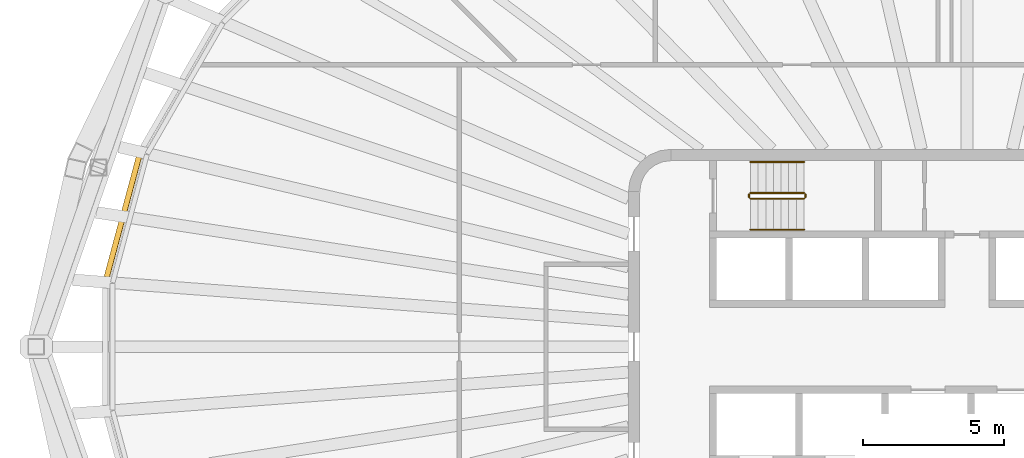
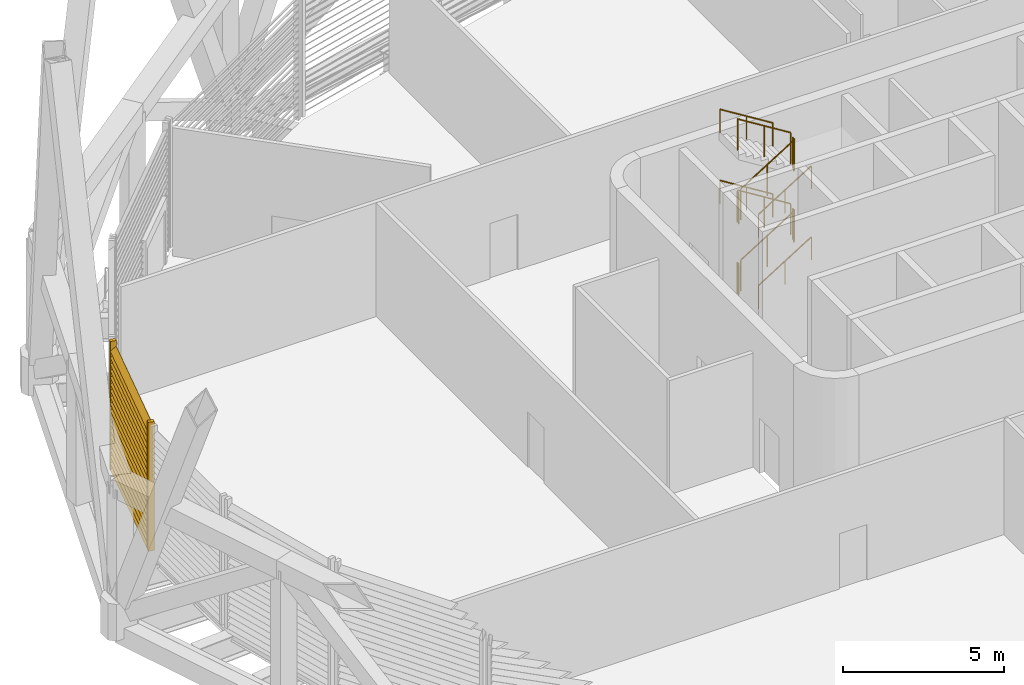
# One storey, part 12 of 17: 12 railings, 1 shading device.
"""IFC4 building model written with IfcOpenShell, lengths in metres."""

from ifc_helpers import new_model, si_unit, direction, frame, origin, origin_2d, place, context, subcontext, project, spatial, rectangle, circle, extrude, material, type_object, element, save


model = new_model("IFC4")

# Units and contexts
model_context = context("Model", 3, precision=1e-05, world=origin(), true_north=direction((0.0, 1.0)))
body_context = subcontext(model_context, "Body", "Model", "MODEL_VIEW")
ifc_project = project(units=[si_unit("LENGTHUNIT", "METRE"), si_unit("AREAUNIT", "SQUARE_METRE"), si_unit("VOLUMEUNIT", "CUBIC_METRE"), si_unit("PLANEANGLEUNIT", "RADIAN"), si_unit("MASSUNIT", "GRAM", prefix="KILO")], contexts=[model_context])

# Site, building, storey
site_placement = place(None, origin())
site = spatial("IfcSite", under=ifc_project, at=site_placement, CompositionType="ELEMENT")
building_placement = place(site_placement, origin())
building = spatial("IfcBuilding", under=site, at=building_placement, Name="Sahrelin Media Tower", CompositionType="ELEMENT")
storey_placement = place(building_placement, frame((0.0, 0.0, 249.60009765625)))
storey = spatial("IfcBuildingStorey", under=building, at=storey_placement, Name="L54", CompositionType="ELEMENT", Elevation=249.60009765625)

# Shading device
ifc_material_1 = material(Name="Champagne anodised aluminium 6063-T6", Category="aluminium")
shading_device_type = type_object("IfcShadingDeviceType", Name="Sand-rejection louvre band", PredefinedType="USERDEFINED", material=ifc_material_1)
shading_device_placement = place(storey_placement, frame((-29.82568359375, 4.581787109375, 0.0), z_axis=(0.0, 0.0, 1.0), x_axis=(0.258807731996, 0.965928857556, 0.0)))
element("IfcShadingDevice", 1, at=shading_device_placement, inside=storey, type_object=shading_device_type, Name="L54:LOUVRE:L54-11", ObjectType="LOUVRE", PredefinedType="USERDEFINED", context=body_context, shape_type="SweptSolid", body=[
    extrude(rectangle(XDim=0.1201171875, YDim=0.199951171875, at=origin_2d()), frame((2.2734375, 0.10009765625, 0.050048828125), z_axis=(0.0, 0.0, 1.0), x_axis=(1.0, 0.0, 0.0)), (0.0, 0.0, 1.0), 4.8984375),
    extrude(rectangle(XDim=0.1201171875, YDim=0.199951171875, at=origin_2d()), frame((-2.2734375, 0.10009765625, 0.050048828125), z_axis=(0.0, 0.0, 1.0), x_axis=(1.0, 0.0, 0.0)), (0.0, 0.0, 1.0), 4.8984375),
    extrude(rectangle(XDim=0.25, YDim=0.02001953125, at=origin_2d()), frame((2.21337890625, 0.10009765625, 0.14990234375), z_axis=(-1.0, 0.0, 0.0), x_axis=(0.0, -0.766044443119, 0.642787609687)), (0.0, 0.0, 1.0), 4.4267578125),
    extrude(rectangle(XDim=0.25, YDim=0.02001953125, at=origin_2d()), frame((2.21337890625, 0.10009765625, 0.39990234375), z_axis=(-1.0, 0.0, 0.0), x_axis=(0.0, -0.766044443119, 0.642787609687)), (0.0, 0.0, 1.0), 4.4267578125),
    extrude(rectangle(XDim=0.25, YDim=0.02001953125, at=origin_2d()), frame((2.21337890625, 0.10009765625, 0.64990234375), z_axis=(-1.0, 0.0, 0.0), x_axis=(0.0, -0.766044443119, 0.642787609687)), (0.0, 0.0, 1.0), 4.4267578125),
    extrude(rectangle(XDim=0.25, YDim=0.02001953125, at=origin_2d()), frame((2.21337890625, 0.10009765625, 0.89990234375), z_axis=(-1.0, 0.0, 0.0), x_axis=(0.0, -0.766044443119, 0.642787609687)), (0.0, 0.0, 1.0), 4.4267578125),
    extrude(rectangle(XDim=0.25, YDim=0.02001953125, at=origin_2d()), frame((2.21337890625, 0.10009765625, 1.14990234375), z_axis=(-1.0, 0.0, 0.0), x_axis=(0.0, -0.766044443119, 0.642787609687)), (0.0, 0.0, 1.0), 4.4267578125),
    extrude(rectangle(XDim=0.25, YDim=0.02001953125, at=origin_2d()), frame((2.21337890625, 0.10009765625, 1.39990234375), z_axis=(-1.0, 0.0, 0.0), x_axis=(0.0, -0.766044443119, 0.642787609687)), (0.0, 0.0, 1.0), 4.4267578125),
    extrude(rectangle(XDim=0.25, YDim=0.02001953125, at=origin_2d()), frame((2.21337890625, 0.10009765625, 1.64990234375), z_axis=(-1.0, 0.0, 0.0), x_axis=(0.0, -0.766044443119, 0.642787609687)), (0.0, 0.0, 1.0), 4.4267578125),
    extrude(rectangle(XDim=0.25, YDim=0.02001953125, at=origin_2d()), frame((2.21337890625, 0.10009765625, 1.89990234375), z_axis=(-1.0, 0.0, 0.0), x_axis=(0.0, -0.766044443119, 0.642787609687)), (0.0, 0.0, 1.0), 4.4267578125),
    extrude(rectangle(XDim=0.25, YDim=0.02001953125, at=origin_2d()), frame((2.21337890625, 0.10009765625, 2.14990234375), z_axis=(-1.0, 0.0, 0.0), x_axis=(0.0, -0.766044443119, 0.642787609687)), (0.0, 0.0, 1.0), 4.4267578125),
    extrude(rectangle(XDim=0.25, YDim=0.02001953125, at=origin_2d()), frame((2.21337890625, 0.10009765625, 2.39990234375), z_axis=(-1.0, 0.0, 0.0), x_axis=(0.0, -0.766044443119, 0.642787609687)), (0.0, 0.0, 1.0), 4.4267578125),
    extrude(rectangle(XDim=0.25, YDim=0.02001953125, at=origin_2d()), frame((2.21337890625, 0.10009765625, 2.64990234375), z_axis=(-1.0, 0.0, 0.0), x_axis=(0.0, -0.766044443119, 0.642787609687)), (0.0, 0.0, 1.0), 4.4267578125),
    extrude(rectangle(XDim=0.25, YDim=0.02001953125, at=origin_2d()), frame((2.21337890625, 0.10009765625, 2.89990234375), z_axis=(-1.0, 0.0, 0.0), x_axis=(0.0, -0.766044443119, 0.642787609687)), (0.0, 0.0, 1.0), 4.4267578125),
    extrude(rectangle(XDim=0.25, YDim=0.02001953125, at=origin_2d()), frame((2.21337890625, 0.10009765625, 3.14990234375), z_axis=(-1.0, 0.0, 0.0), x_axis=(0.0, -0.766044443119, 0.642787609687)), (0.0, 0.0, 1.0), 4.4267578125),
    extrude(rectangle(XDim=0.25, YDim=0.02001953125, at=origin_2d()), frame((2.21337890625, 0.10009765625, 3.39990234375), z_axis=(-1.0, 0.0, 0.0), x_axis=(0.0, -0.766044443119, 0.642787609687)), (0.0, 0.0, 1.0), 4.4267578125),
    extrude(rectangle(XDim=0.25, YDim=0.02001953125, at=origin_2d()), frame((2.21337890625, 0.10009765625, 3.64990234375), z_axis=(-1.0, 0.0, 0.0), x_axis=(0.0, -0.766044443119, 0.642787609687)), (0.0, 0.0, 1.0), 4.4267578125),
    extrude(rectangle(XDim=0.25, YDim=0.02001953125, at=origin_2d()), frame((2.21337890625, 0.10009765625, 3.89990234375), z_axis=(-1.0, 0.0, 0.0), x_axis=(0.0, -0.766044443119, 0.642787609687)), (0.0, 0.0, 1.0), 4.4267578125),
    extrude(rectangle(XDim=0.25, YDim=0.02001953125, at=origin_2d()), frame((2.21337890625, 0.10009765625, 4.14990234375), z_axis=(-1.0, 0.0, 0.0), x_axis=(0.0, -0.766044443119, 0.642787609687)), (0.0, 0.0, 1.0), 4.4267578125),
    extrude(rectangle(XDim=0.25, YDim=0.02001953125, at=origin_2d()), frame((2.21337890625, 0.10009765625, 4.39990234375), z_axis=(-1.0, 0.0, 0.0), x_axis=(0.0, -0.766044443119, 0.642787609687)), (0.0, 0.0, 1.0), 4.4267578125),
    extrude(rectangle(XDim=0.25, YDim=0.02001953125, at=origin_2d()), frame((2.21337890625, 0.10009765625, 4.64990234375), z_axis=(-1.0, 0.0, 0.0), x_axis=(0.0, -0.766044443119, 0.642787609687)), (0.0, 0.0, 1.0), 4.4267578125),
])

# Railings
ifc_material_2 = material(Name="Steel S355", Category="steel")
railing_type_1 = type_object("IfcRailingType", Name="Stair guard 1200", PredefinedType="GUARDRAIL", material=ifc_material_2)
railing_1_placement = place(storey_placement, frame((-7.675048828125, 5.25, 0.168701171875)))
element("IfcRailing", 2, at=railing_1_placement, inside=storey, type_object=railing_type_1, Name="L54 ST1 stair guard 1", PredefinedType="GUARDRAIL", context=body_context, shape_type="SweptSolid", body=[
    extrude(circle(Radius=0.02392578125, at=origin_2d()), frame((0.0, 0.0, 1.17578125), z_axis=(0.849289292259, 0.0, 0.527927739425), x_axis=(0.0, 1.0, 0.0)), (0.0, 0.0, 1.0), 2.2373046875),
    extrude(circle(Radius=0.02099609375, at=origin_2d()), origin(), (0.0, 0.0, 1.0), 1.15185546875),
    extrude(circle(Radius=0.02099609375, at=origin_2d()), frame((0.9501953125, 0.0, 0.590576171875)), (0.0, 0.0, 1.0), 1.15185546875),
    extrude(circle(Radius=0.02099609375, at=origin_2d()), frame((1.900146484375, 0.0, 1.18115234375)), (0.0, 0.0, 1.0), 1.15185546875),
])
railing_2_placement = place(storey_placement, frame((-5.72509765625, 5.300048828125, 1.349853515625)))
element("IfcRailing", 3, at=railing_2_placement, inside=storey, type_object=railing_type_1, Name="L54 ST1 stair guard 2", PredefinedType="GUARDRAIL", context=body_context, shape_type="SweptSolid", body=[
    extrude(circle(Radius=0.02392578125, at=origin_2d()), frame((0.0, 0.0, 1.17578125), z_axis=(0.0, 1.0, 0.0), x_axis=(-1.0, 0.0, 0.0)), (0.0, 0.0, 1.0), 0.099853515625),
    extrude(circle(Radius=0.02099609375, at=origin_2d()), origin(), (0.0, 0.0, 1.0), 1.15185546875),
    extrude(circle(Radius=0.02099609375, at=origin_2d()), frame((0.0, 0.099853515625, 0.0)), (0.0, 0.0, 1.0), 1.15185546875),
])
railing_3_placement = place(storey_placement, frame((-5.77490234375, 5.449951171875, 1.5185546875)))
element("IfcRailing", 4, at=railing_3_placement, inside=storey, type_object=railing_type_1, Name="L54 ST1 stair guard 3", PredefinedType="GUARDRAIL", context=body_context, shape_type="SweptSolid", body=[
    extrude(circle(Radius=0.02392578125, at=origin_2d()), frame((0.0, 0.0, 1.17578125), z_axis=(-0.849240365539, 0.0, 0.528006440812), x_axis=(0.0, -1.0, 0.0)), (0.0, 0.0, 1.0), 2.237548828125),
    extrude(circle(Radius=0.02099609375, at=origin_2d()), origin(), (0.0, 0.0, 1.0), 1.15185546875),
    extrude(circle(Radius=0.02099609375, at=origin_2d()), frame((-0.9501953125, 0.0, 0.5908203125)), (0.0, 0.0, 1.0), 1.15185546875),
    extrude(circle(Radius=0.02099609375, at=origin_2d()), frame((-1.900146484375, 0.0, 1.181396484375)), (0.0, 0.0, 1.0), 1.15185546875),
])
railing_4_placement = place(storey_placement, frame((-7.72509765625, 5.300048828125, 2.699951171875)))
element("IfcRailing", 5, at=railing_4_placement, inside=storey, type_object=railing_type_1, Name="L54 ST1 stair guard 4", PredefinedType="GUARDRAIL", context=body_context, shape_type="SweptSolid", body=[
    extrude(circle(Radius=0.02392578125, at=origin_2d()), frame((0.0, 0.0, 1.17578125), z_axis=(0.0, 1.0, 0.0), x_axis=(-1.0, 0.0, 0.0)), (0.0, 0.0, 1.0), 0.099853515625),
    extrude(circle(Radius=0.02099609375, at=origin_2d()), origin(), (0.0, 0.0, 1.0), 1.15185546875),
    extrude(circle(Radius=0.02099609375, at=origin_2d()), frame((0.0, 0.099853515625, 0.0)), (0.0, 0.0, 1.0), 1.15185546875),
])
railing_5_placement = place(storey_placement, frame((-7.675048828125, 5.25, 2.86865234375)))
element("IfcRailing", 6, at=railing_5_placement, inside=storey, type_object=railing_type_1, Name="L54 ST1 stair guard 5", PredefinedType="GUARDRAIL", context=body_context, shape_type="SweptSolid", body=[
    extrude(circle(Radius=0.02392578125, at=origin_2d()), frame((0.0, 0.0, 1.17578125), z_axis=(0.849289292259, 0.0, 0.527927739425), x_axis=(0.0, 1.0, 0.0)), (0.0, 0.0, 1.0), 2.2373046875),
    extrude(circle(Radius=0.02099609375, at=origin_2d()), origin(), (0.0, 0.0, 1.0), 1.15185546875),
    extrude(circle(Radius=0.02099609375, at=origin_2d()), frame((0.9501953125, 0.0, 0.590576171875)), (0.0, 0.0, 1.0), 1.15185546875),
    extrude(circle(Radius=0.02099609375, at=origin_2d()), frame((1.900146484375, 0.0, 1.18115234375)), (0.0, 0.0, 1.0), 1.15185546875),
])
railing_6_placement = place(storey_placement, frame((-5.72509765625, 5.300048828125, 4.0498046875)))
element("IfcRailing", 7, at=railing_6_placement, inside=storey, type_object=railing_type_1, Name="L54 ST1 stair guard 6", PredefinedType="GUARDRAIL", context=body_context, shape_type="SweptSolid", body=[
    extrude(circle(Radius=0.02392578125, at=origin_2d()), frame((0.0, 0.0, 1.17578125), z_axis=(0.0, 1.0, 0.0), x_axis=(-1.0, 0.0, 0.0)), (0.0, 0.0, 1.0), 0.099853515625),
    extrude(circle(Radius=0.02099609375, at=origin_2d()), origin(), (0.0, 0.0, 1.0), 1.15185546875),
    extrude(circle(Radius=0.02099609375, at=origin_2d()), frame((0.0, 0.099853515625, 0.0)), (0.0, 0.0, 1.0), 1.15185546875),
])
railing_7_placement = place(storey_placement, frame((-5.77490234375, 5.449951171875, 4.21875)))
element("IfcRailing", 8, at=railing_7_placement, inside=storey, type_object=railing_type_1, Name="L54 ST1 stair guard 7", PredefinedType="GUARDRAIL", context=body_context, shape_type="SweptSolid", body=[
    extrude(circle(Radius=0.02392578125, at=origin_2d()), frame((0.0, 0.0, 1.17578125), z_axis=(-0.849289292259, 0.0, 0.527927739425), x_axis=(0.0, -1.0, 0.0)), (0.0, 0.0, 1.0), 2.2373046875),
    extrude(circle(Radius=0.02099609375, at=origin_2d()), origin(), (0.0, 0.0, 1.0), 1.15185546875),
    extrude(circle(Radius=0.02099609375, at=origin_2d()), frame((-0.9501953125, 0.0, 0.590576171875)), (0.0, 0.0, 1.0), 1.15185546875),
    extrude(circle(Radius=0.02099609375, at=origin_2d()), frame((-1.900146484375, 0.0, 1.18115234375)), (0.0, 0.0, 1.0), 1.15185546875),
])
railing_8_placement = place(storey_placement, frame((-7.72509765625, 5.300048828125, 0.0)))
element("IfcRailing", 9, at=railing_8_placement, inside=storey, type_object=railing_type_1, Name="L54 ST1 stair guard 8", PredefinedType="GUARDRAIL", context=body_context, shape_type="SweptSolid", body=[
    extrude(circle(Radius=0.02392578125, at=origin_2d()), frame((0.0, 0.0, 1.17578125), z_axis=(0.0, 1.0, 0.0), x_axis=(-1.0, 0.0, 0.0)), (0.0, 0.0, 1.0), 0.099853515625),
    extrude(circle(Radius=0.02099609375, at=origin_2d()), origin(), (0.0, 0.0, 1.0), 1.15185546875),
    extrude(circle(Radius=0.02099609375, at=origin_2d()), frame((0.0, 0.099853515625, 0.0)), (0.0, 0.0, 1.0), 1.15185546875),
])
railing_type_2 = type_object("IfcRailingType", Name="Stair handrail 900", PredefinedType="HANDRAIL", material=ifc_material_2)
railing_9_placement = place(storey_placement, frame((-7.675048828125, 4.14990234375, 0.168701171875)))
element("IfcRailing", 10, at=railing_9_placement, inside=storey, type_object=railing_type_2, Name="L54 ST1 stair handrail 1", PredefinedType="HANDRAIL", context=body_context, shape_type="SweptSolid", body=[
    extrude(circle(Radius=0.02392578125, at=origin_2d()), frame((0.0, 0.0, 0.8759765625), z_axis=(0.849289292259, 0.0, 0.527927739425), x_axis=(0.0, 1.0, 0.0)), (0.0, 0.0, 1.0), 2.2373046875),
    extrude(circle(Radius=0.02099609375, at=origin_2d()), origin(), (0.0, 0.0, 1.0), 0.851806640625),
    extrude(circle(Radius=0.02099609375, at=origin_2d()), frame((0.9501953125, 0.0, 0.590576171875)), (0.0, 0.0, 1.0), 0.851806640625),
    extrude(circle(Radius=0.02099609375, at=origin_2d()), frame((1.900146484375, 0.0, 1.18115234375)), (0.0, 0.0, 1.0), 0.851806640625),
])
railing_10_placement = place(storey_placement, frame((-5.77490234375, 6.550048828125, 1.5185546875)))
element("IfcRailing", 11, at=railing_10_placement, inside=storey, type_object=railing_type_2, Name="L54 ST1 stair handrail 2", PredefinedType="HANDRAIL", context=body_context, shape_type="SweptSolid", body=[
    extrude(circle(Radius=0.02392578125, at=origin_2d()), frame((0.0, 0.0, 0.8759765625), z_axis=(-0.849240365539, 0.0, 0.528006440812), x_axis=(0.0, -1.0, 0.0)), (0.0, 0.0, 1.0), 2.237548828125),
    extrude(circle(Radius=0.02099609375, at=origin_2d()), origin(), (0.0, 0.0, 1.0), 0.851806640625),
    extrude(circle(Radius=0.02099609375, at=origin_2d()), frame((-0.9501953125, 0.0, 0.5908203125)), (0.0, 0.0, 1.0), 0.851806640625),
    extrude(circle(Radius=0.02099609375, at=origin_2d()), frame((-1.900146484375, 0.0, 1.181396484375)), (0.0, 0.0, 1.0), 0.851806640625),
])
railing_11_placement = place(storey_placement, frame((-7.675048828125, 4.14990234375, 2.86865234375)))
element("IfcRailing", 12, at=railing_11_placement, inside=storey, type_object=railing_type_2, Name="L54 ST1 stair handrail 3", PredefinedType="HANDRAIL", context=body_context, shape_type="SweptSolid", body=[
    extrude(circle(Radius=0.02392578125, at=origin_2d()), frame((0.0, 0.0, 0.8759765625), z_axis=(0.849289292259, 0.0, 0.527927739425), x_axis=(0.0, 1.0, 0.0)), (0.0, 0.0, 1.0), 2.2373046875),
    extrude(circle(Radius=0.02099609375, at=origin_2d()), origin(), (0.0, 0.0, 1.0), 0.851806640625),
    extrude(circle(Radius=0.02099609375, at=origin_2d()), frame((0.9501953125, 0.0, 0.590576171875)), (0.0, 0.0, 1.0), 0.851806640625),
    extrude(circle(Radius=0.02099609375, at=origin_2d()), frame((1.900146484375, 0.0, 1.18115234375)), (0.0, 0.0, 1.0), 0.851806640625),
])
railing_12_placement = place(storey_placement, frame((-5.77490234375, 6.550048828125, 4.21875)))
element("IfcRailing", 13, at=railing_12_placement, inside=storey, type_object=railing_type_2, Name="L54 ST1 stair handrail 4", PredefinedType="HANDRAIL", context=body_context, shape_type="SweptSolid", body=[
    extrude(circle(Radius=0.02392578125, at=origin_2d()), frame((0.0, 0.0, 0.8759765625), z_axis=(-0.849289292259, 0.0, 0.527927739425), x_axis=(0.0, -1.0, 0.0)), (0.0, 0.0, 1.0), 2.2373046875),
    extrude(circle(Radius=0.02099609375, at=origin_2d()), origin(), (0.0, 0.0, 1.0), 0.851806640625),
    extrude(circle(Radius=0.02099609375, at=origin_2d()), frame((-0.9501953125, 0.0, 0.590576171875)), (0.0, 0.0, 1.0), 0.851806640625),
    extrude(circle(Radius=0.02099609375, at=origin_2d()), frame((-1.900146484375, 0.0, 1.18115234375)), (0.0, 0.0, 1.0), 0.851806640625),
])

save(model, "model.ifc")
